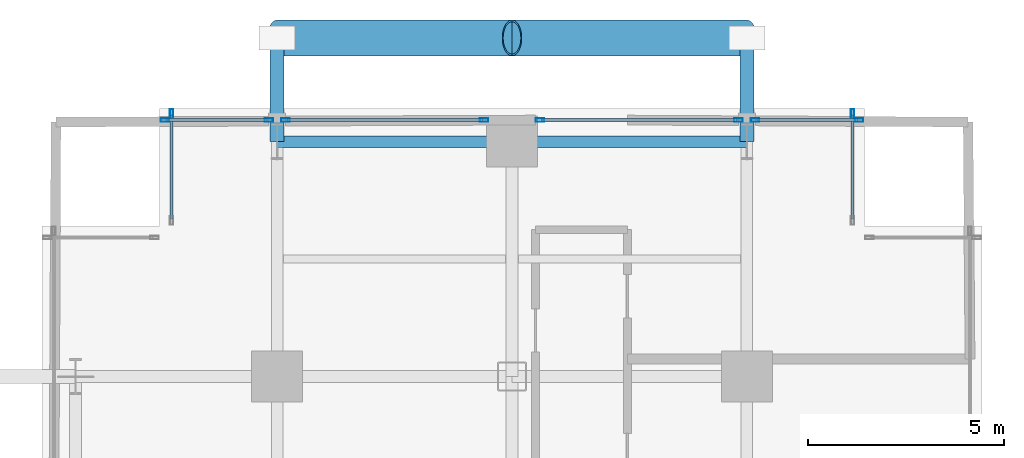
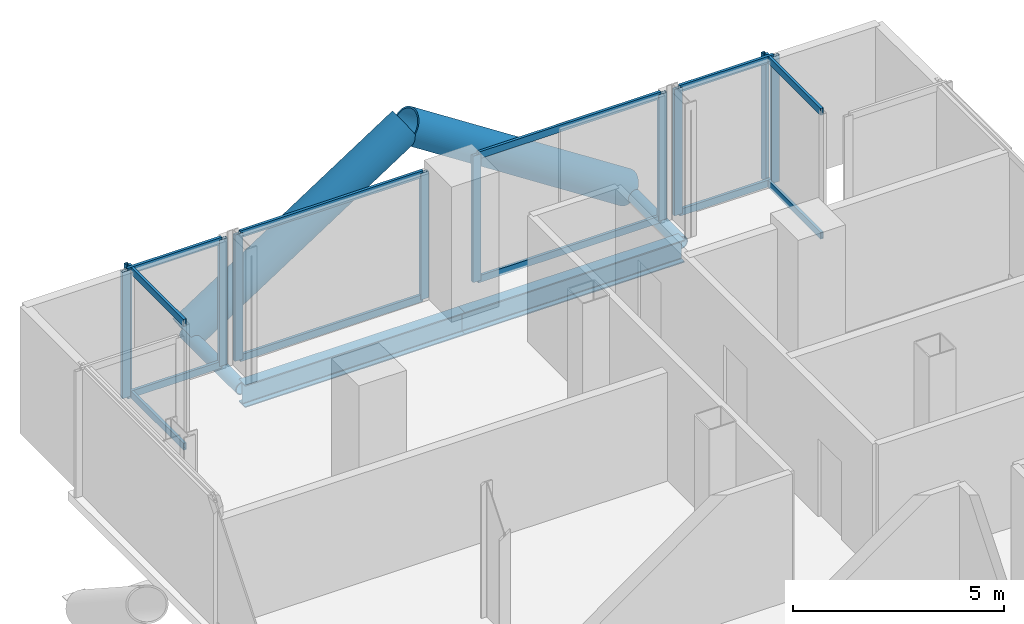
# One storey, part 16 of 25: 26 members, 2 beams, 6 elements without a shape of their own.
"""IFC4 building model written with IfcOpenShell, lengths in metres."""

from ifc_helpers import new_model, si_unit, direction, frame, origin, origin_2d, place, context, subcontext, project, spatial, hollow_rectangle, hollow_circle, i_section, extrude, material, layer, layer_set, material_profile, profile_set, type_object, element, aggregate, save


model = new_model("IFC4")

# Units and contexts
model_context = context("Model", 3, precision=1e-05, world=origin(), true_north=direction((0.0, 1.0)))
body_context = subcontext(model_context, "Body", "Model", "MODEL_VIEW")
ifc_project = project(units=[si_unit("LENGTHUNIT", "METRE"), si_unit("AREAUNIT", "SQUARE_METRE"), si_unit("VOLUMEUNIT", "CUBIC_METRE"), si_unit("PLANEANGLEUNIT", "RADIAN"), si_unit("MASSUNIT", "GRAM", prefix="KILO"), si_unit("THERMODYNAMICTEMPERATUREUNIT", "KELVIN"), si_unit("POWERUNIT", "WATT")], contexts=[model_context])

# Site, building, storey
site_placement = place(None, origin())
site = spatial("IfcSite", under=ifc_project, at=site_placement, CompositionType="ELEMENT")
building_placement = place(site_placement, origin())
building = spatial("IfcBuilding", under=site, at=building_placement, Name="Svarakhadi Broadcast Tower", CompositionType="ELEMENT")
storey_placement = place(building_placement, frame((0.0, 0.0, 79.199951171875)))
storey = spatial("IfcBuildingStorey", under=building, at=storey_placement, Name="L18", CompositionType="ELEMENT", Elevation=79.199951171875)

# Curtain wall, member
ifc_material_1 = material(Name="Anodised Bronze Aluminium AA 6063-T6", Category="aluminium")
ifc_layer = layer(ifc_material_1, 0.219970703125)
ifc_layer_set = layer_set([ifc_layer], Name="Anodised Bronze Aluminium AA 6063-T6")
curtain_wall_type = type_object("IfcCurtainWallType", Name="CW_Sys_02", PredefinedType="NOTDEFINED", material=ifc_layer_set)
curtain_wall_1_placement = place(storey_placement, origin())
curtain_wall_1 = element("IfcCurtainWall", 1, at=curtain_wall_1_placement, inside=storey, type_object=curtain_wall_type, Name="L18 Unitised Facade Curtain Wall 05", PredefinedType="NOTDEFINED")
ifc_material_profile_1 = material_profile(ifc_material_1, hollow_rectangle(XDim=0.0849609375, YDim=0.219970703125, WallThickness=0.006103515625, at=origin_2d()), Name="ALU MULLION 220x85x6")
ifc_profile_set_1 = profile_set([ifc_material_profile_1], Name="Anodised Bronze Aluminium AA 6063-T6")
member_type_1 = type_object("IfcMemberType", Name="CW_Sys_02_Mul", PredefinedType="MULLION", material=ifc_profile_set_1)
member_1_placement = place(storey_placement, frame((3.300048828125, 47.867431640625, 0.0), z_axis=(0.0, 0.0, 1.0), x_axis=(-1.0, 0.0, 0.0)))
member_1 = element("IfcMember", 2, at=member_1_placement, type_object=member_type_1, Name="CW-02 mullion 2", PredefinedType="MULLION", context=body_context, shape_type="SweptSolid", body=[
    extrude(hollow_rectangle(XDim=0.0849609375, YDim=0.219970703125, WallThickness=0.006103515625, at=origin_2d()), origin(), (0.0, 0.0, 1.0), 3.650146484375),
])

# Curtain wall, members
curtain_wall_2_placement = place(storey_placement, origin())
curtain_wall_2 = element("IfcCurtainWall", 3, at=curtain_wall_2_placement, inside=storey, type_object=curtain_wall_type, Name="L18 Unitised Facade Curtain Wall 06 Bay 1", PredefinedType="NOTDEFINED")
member_2_placement = place(storey_placement, frame((3.132568359375, 47.699951171875, 0.0), z_axis=(0.0, 0.0, 1.0), x_axis=(0.0, 1.0, 0.0)))
member_2 = element("IfcMember", 4, at=member_2_placement, type_object=member_type_1, Name="CW-02 mullion 1", PredefinedType="MULLION", context=body_context, shape_type="SweptSolid", body=[
    extrude(hollow_rectangle(XDim=0.0849609375, YDim=0.219970703125, WallThickness=0.006103515625, at=origin_2d()), origin(), (0.0, 0.0, 1.0), 3.650146484375),
])
member_3_placement = place(storey_placement, frame((5.78759765625, 47.699951171875, 0.0), z_axis=(0.0, 0.0, 1.0), x_axis=(0.0, 1.0, 0.0)))
member_3 = element("IfcMember", 5, at=member_3_placement, type_object=member_type_1, Name="CW-02 mullion 2", PredefinedType="MULLION", context=body_context, shape_type="SweptSolid", body=[
    extrude(hollow_rectangle(XDim=0.0849609375, YDim=0.219970703125, WallThickness=0.006103515625, at=origin_2d()), origin(), (0.0, 0.0, 1.0), 3.650146484375),
])

curtain_wall_3_placement = place(storey_placement, origin())
curtain_wall_3 = element("IfcCurtainWall", 6, at=curtain_wall_3_placement, inside=storey, type_object=curtain_wall_type, Name="L18 Unitised Facade Curtain Wall 06 Bay 2", PredefinedType="NOTDEFINED")
member_4_placement = place(storey_placement, frame((6.21240234375, 47.699951171875, 0.0), z_axis=(0.0, 0.0, 1.0), x_axis=(0.0, 1.0, 0.0)))
member_4 = element("IfcMember", 7, at=member_4_placement, type_object=member_type_1, Name="CW-02 mullion 1", PredefinedType="MULLION", context=body_context, shape_type="SweptSolid", body=[
    extrude(hollow_rectangle(XDim=0.0849609375, YDim=0.219970703125, WallThickness=0.006103515625, at=origin_2d()), origin(), (0.0, 0.0, 1.0), 3.650146484375),
])
member_5_placement = place(storey_placement, frame((11.28759765625, 47.699951171875, 0.0), z_axis=(0.0, 0.0, 1.0), x_axis=(0.0, 1.0, 0.0)))
member_5 = element("IfcMember", 8, at=member_5_placement, type_object=member_type_1, Name="CW-02 mullion 2", PredefinedType="MULLION", context=body_context, shape_type="SweptSolid", body=[
    extrude(hollow_rectangle(XDim=0.0849609375, YDim=0.219970703125, WallThickness=0.006103515625, at=origin_2d()), origin(), (0.0, 0.0, 1.0), 3.650146484375),
])

curtain_wall_4_placement = place(storey_placement, origin())
curtain_wall_4 = element("IfcCurtainWall", 9, at=curtain_wall_4_placement, inside=storey, type_object=curtain_wall_type, Name="L18 Unitised Facade Curtain Wall 06 Bay 3", PredefinedType="NOTDEFINED")
member_6_placement = place(storey_placement, frame((12.71240234375, 47.699951171875, 0.0), z_axis=(0.0, 0.0, 1.0), x_axis=(0.0, 1.0, 0.0)))
member_6 = element("IfcMember", 10, at=member_6_placement, type_object=member_type_1, Name="CW-02 mullion 1", PredefinedType="MULLION", context=body_context, shape_type="SweptSolid", body=[
    extrude(hollow_rectangle(XDim=0.0849609375, YDim=0.219970703125, WallThickness=0.006103515625, at=origin_2d()), origin(), (0.0, 0.0, 1.0), 3.650146484375),
])
member_7_placement = place(storey_placement, frame((17.78759765625, 47.699951171875, 0.0), z_axis=(0.0, 0.0, 1.0), x_axis=(0.0, 1.0, 0.0)))
member_7 = element("IfcMember", 11, at=member_7_placement, type_object=member_type_1, Name="CW-02 mullion 2", PredefinedType="MULLION", context=body_context, shape_type="SweptSolid", body=[
    extrude(hollow_rectangle(XDim=0.0849609375, YDim=0.219970703125, WallThickness=0.006103515625, at=origin_2d()), origin(), (0.0, 0.0, 1.0), 3.650146484375),
])

curtain_wall_5_placement = place(storey_placement, origin())
curtain_wall_5 = element("IfcCurtainWall", 12, at=curtain_wall_5_placement, inside=storey, type_object=curtain_wall_type, Name="L18 Unitised Facade Curtain Wall 06 Bay 4", PredefinedType="NOTDEFINED")
member_8_placement = place(storey_placement, frame((18.21240234375, 47.699951171875, 0.0), z_axis=(0.0, 0.0, 1.0), x_axis=(0.0, 1.0, 0.0)))
member_8 = element("IfcMember", 13, at=member_8_placement, type_object=member_type_1, Name="CW-02 mullion 1", PredefinedType="MULLION", context=body_context, shape_type="SweptSolid", body=[
    extrude(hollow_rectangle(XDim=0.0849609375, YDim=0.219970703125, WallThickness=0.006103515625, at=origin_2d()), origin(), (0.0, 0.0, 1.0), 3.650146484375),
])
member_9_placement = place(storey_placement, frame((20.867431640625, 47.699951171875, 0.0), z_axis=(0.0, 0.0, 1.0), x_axis=(0.0, 1.0, 0.0)))
member_9 = element("IfcMember", 14, at=member_9_placement, type_object=member_type_1, Name="CW-02 mullion 2", PredefinedType="MULLION", context=body_context, shape_type="SweptSolid", body=[
    extrude(hollow_rectangle(XDim=0.0849609375, YDim=0.219970703125, WallThickness=0.006103515625, at=origin_2d()), origin(), (0.0, 0.0, 1.0), 3.650146484375),
])

# Curtain wall, member
curtain_wall_6_placement = place(storey_placement, origin())
curtain_wall_6 = element("IfcCurtainWall", 15, at=curtain_wall_6_placement, inside=storey, type_object=curtain_wall_type, Name="L18 Unitised Facade Curtain Wall 07", PredefinedType="NOTDEFINED")
member_10_placement = place(storey_placement, frame((20.699951171875, 47.867431640625, 0.0), z_axis=(0.0, 0.0, 1.0), x_axis=(1.0, 0.0, 0.0)))
member_10 = element("IfcMember", 16, at=member_10_placement, type_object=member_type_1, Name="CW-02 mullion 1", PredefinedType="MULLION", context=body_context, shape_type="SweptSolid", body=[
    extrude(hollow_rectangle(XDim=0.0849609375, YDim=0.219970703125, WallThickness=0.006103515625, at=origin_2d()), origin(), (0.0, 0.0, 1.0), 3.650146484375),
])

# Member
ifc_material_profile_2 = material_profile(ifc_material_1, hollow_rectangle(XDim=0.074951171875, YDim=0.199951171875, WallThickness=0.0048828125, at=origin_2d()), Name="ALU TRANSOM 200x75x5")
ifc_profile_set_2 = profile_set([ifc_material_profile_2], Name="Anodised Bronze Aluminium AA 6063-T6")
member_type_2 = type_object("IfcMemberType", Name="CW_Sys_02_Trn", PredefinedType="USERDEFINED", material=ifc_profile_set_2)
member_11_placement = place(storey_placement, frame((3.300048828125, 45.175048828125, 0.03759765625), z_axis=(0.0, 1.0, 0.0), x_axis=(-1.0, 0.0, 0.0)))
member_11 = element("IfcMember", 17, at=member_11_placement, type_object=member_type_2, Name="CW-02 transom 1.1", ObjectType="TRANSOM", PredefinedType="USERDEFINED", context=body_context, shape_type="SweptSolid", body=[
    extrude(hollow_rectangle(XDim=0.074951171875, YDim=0.199951171875, WallThickness=0.0048828125, at=origin_2d()), origin(), (0.0, 0.0, 1.0), 2.64990234375),
])

member_12_placement = place(storey_placement, frame((3.300048828125, 45.175048828125, 3.612548828125), z_axis=(0.0, 1.0, 0.0), x_axis=(-1.0, 0.0, 0.0)))
member_12 = element("IfcMember", 18, at=member_12_placement, type_object=member_type_2, Name="CW-02 transom 1.2", ObjectType="TRANSOM", PredefinedType="USERDEFINED", context=body_context, shape_type="SweptSolid", body=[
    extrude(hollow_rectangle(XDim=0.074951171875, YDim=0.199951171875, WallThickness=0.0048828125, at=origin_2d()), origin(), (0.0, 0.0, 1.0), 2.64990234375),
])

aggregate(curtain_wall_1, [member_1, member_11, member_12])

member_13_placement = place(storey_placement, frame((3.175048828125, 47.699951171875, 0.03759765625), z_axis=(1.0, 0.0, 0.0), x_axis=(0.0, 1.0, 0.0)))
member_13 = element("IfcMember", 19, at=member_13_placement, type_object=member_type_2, Name="CW-02 transom 1.1", ObjectType="TRANSOM", PredefinedType="USERDEFINED", context=body_context, shape_type="SweptSolid", body=[
    extrude(hollow_rectangle(XDim=0.074951171875, YDim=0.199951171875, WallThickness=0.0048828125, at=origin_2d()), origin(), (0.0, 0.0, 1.0), 2.570068359375),
])

member_14_placement = place(storey_placement, frame((3.175048828125, 47.699951171875, 3.612548828125), z_axis=(1.0, 0.0, 0.0), x_axis=(0.0, 1.0, 0.0)))
member_14 = element("IfcMember", 20, at=member_14_placement, type_object=member_type_2, Name="CW-02 transom 1.2", ObjectType="TRANSOM", PredefinedType="USERDEFINED", context=body_context, shape_type="SweptSolid", body=[
    extrude(hollow_rectangle(XDim=0.074951171875, YDim=0.199951171875, WallThickness=0.0048828125, at=origin_2d()), origin(), (0.0, 0.0, 1.0), 2.570068359375),
])

aggregate(curtain_wall_2, [member_2, member_3, member_13, member_14])

member_15_placement = place(storey_placement, frame((6.2548828125, 47.699951171875, 0.03759765625), z_axis=(1.0, 0.0, 0.0), x_axis=(0.0, 1.0, 0.0)))
member_15 = element("IfcMember", 21, at=member_15_placement, type_object=member_type_2, Name="CW-02 transom 1.1", ObjectType="TRANSOM", PredefinedType="USERDEFINED", context=body_context, shape_type="SweptSolid", body=[
    extrude(hollow_rectangle(XDim=0.074951171875, YDim=0.199951171875, WallThickness=0.0048828125, at=origin_2d()), origin(), (0.0, 0.0, 1.0), 4.990234375),
])

member_16_placement = place(storey_placement, frame((6.2548828125, 47.699951171875, 3.612548828125), z_axis=(1.0, 0.0, 0.0), x_axis=(0.0, 1.0, 0.0)))
member_16 = element("IfcMember", 22, at=member_16_placement, type_object=member_type_2, Name="CW-02 transom 1.2", ObjectType="TRANSOM", PredefinedType="USERDEFINED", context=body_context, shape_type="SweptSolid", body=[
    extrude(hollow_rectangle(XDim=0.074951171875, YDim=0.199951171875, WallThickness=0.0048828125, at=origin_2d()), origin(), (0.0, 0.0, 1.0), 4.990234375),
])

aggregate(curtain_wall_3, [member_4, member_5, member_15, member_16])

member_17_placement = place(storey_placement, frame((12.7548828125, 47.699951171875, 0.03759765625), z_axis=(1.0, 0.0, 0.0), x_axis=(0.0, 1.0, 0.0)))
member_17 = element("IfcMember", 23, at=member_17_placement, type_object=member_type_2, Name="CW-02 transom 1.1", ObjectType="TRANSOM", PredefinedType="USERDEFINED", context=body_context, shape_type="SweptSolid", body=[
    extrude(hollow_rectangle(XDim=0.074951171875, YDim=0.199951171875, WallThickness=0.0048828125, at=origin_2d()), origin(), (0.0, 0.0, 1.0), 4.990234375),
])

member_18_placement = place(storey_placement, frame((12.7548828125, 47.699951171875, 3.612548828125), z_axis=(1.0, 0.0, 0.0), x_axis=(0.0, 1.0, 0.0)))
member_18 = element("IfcMember", 24, at=member_18_placement, type_object=member_type_2, Name="CW-02 transom 1.2", ObjectType="TRANSOM", PredefinedType="USERDEFINED", context=body_context, shape_type="SweptSolid", body=[
    extrude(hollow_rectangle(XDim=0.074951171875, YDim=0.199951171875, WallThickness=0.0048828125, at=origin_2d()), origin(), (0.0, 0.0, 1.0), 4.990234375),
])

aggregate(curtain_wall_4, [member_6, member_7, member_17, member_18])

member_19_placement = place(storey_placement, frame((18.2548828125, 47.699951171875, 0.03759765625), z_axis=(1.0, 0.0, 0.0), x_axis=(0.0, 1.0, 0.0)))
member_19 = element("IfcMember", 25, at=member_19_placement, type_object=member_type_2, Name="CW-02 transom 1.1", ObjectType="TRANSOM", PredefinedType="USERDEFINED", context=body_context, shape_type="SweptSolid", body=[
    extrude(hollow_rectangle(XDim=0.074951171875, YDim=0.199951171875, WallThickness=0.0048828125, at=origin_2d()), origin(), (0.0, 0.0, 1.0), 2.570068359375),
])

member_20_placement = place(storey_placement, frame((18.2548828125, 47.699951171875, 3.612548828125), z_axis=(1.0, 0.0, 0.0), x_axis=(0.0, 1.0, 0.0)))
member_20 = element("IfcMember", 26, at=member_20_placement, type_object=member_type_2, Name="CW-02 transom 1.2", ObjectType="TRANSOM", PredefinedType="USERDEFINED", context=body_context, shape_type="SweptSolid", body=[
    extrude(hollow_rectangle(XDim=0.074951171875, YDim=0.199951171875, WallThickness=0.0048828125, at=origin_2d()), origin(), (0.0, 0.0, 1.0), 2.570068359375),
])

aggregate(curtain_wall_5, [member_8, member_9, member_19, member_20])

member_21_placement = place(storey_placement, frame((20.699951171875, 47.824951171875, 0.03759765625), z_axis=(0.0, -1.0, 0.0), x_axis=(1.0, 0.0, 0.0)))
member_21 = element("IfcMember", 27, at=member_21_placement, type_object=member_type_2, Name="CW-02 transom 1.1", ObjectType="TRANSOM", PredefinedType="USERDEFINED", context=body_context, shape_type="SweptSolid", body=[
    extrude(hollow_rectangle(XDim=0.074951171875, YDim=0.199951171875, WallThickness=0.0048828125, at=origin_2d()), origin(), (0.0, 0.0, 1.0), 2.64990234375),
])

member_22_placement = place(storey_placement, frame((20.699951171875, 47.824951171875, 3.612548828125), z_axis=(0.0, -1.0, 0.0), x_axis=(1.0, 0.0, 0.0)))
member_22 = element("IfcMember", 28, at=member_22_placement, type_object=member_type_2, Name="CW-02 transom 1.2", ObjectType="TRANSOM", PredefinedType="USERDEFINED", context=body_context, shape_type="SweptSolid", body=[
    extrude(hollow_rectangle(XDim=0.074951171875, YDim=0.199951171875, WallThickness=0.0048828125, at=origin_2d()), origin(), (0.0, 0.0, 1.0), 2.64990234375),
])

aggregate(curtain_wall_6, [member_10, member_21, member_22])

# Members
ifc_material_2 = material(Name="Steel S460ML (IS 2062 E450BR)", Category="steel")
ifc_material_profile_3 = material_profile(ifc_material_2, hollow_circle(Radius=0.45703125, WallThickness=0.044921875, at=origin_2d()), Name="CHS 914x45")
ifc_profile_set_3 = profile_set([ifc_material_profile_3], Name="Steel S460ML (IS 2062 E450BR)")
member_type_3 = type_object("IfcMemberType", Name="Exo_Brace_CHS914", PredefinedType="BRACE", material=ifc_profile_set_3)
for number, where, z_axis, x_axis, name in (
    (29, (6.0, 49.800048828125, -0.427734375), (0.838449851971, 0.0, 0.544978757136), (0.0, 1.0, 0.0), "L18 Exposed Bronze Exoskeleton Diagonal N10"),
    (30, (18.0, 49.800048828125, -0.427734375), (-0.838449851971, 0.0, 0.544978757136), (0.0, -1.0, 0.0), "L18 Exposed Bronze Exoskeleton Diagonal N11"),
):
    element("IfcMember", number, at=place(storey_placement, frame(where, z_axis=z_axis, x_axis=x_axis)), inside=storey, type_object=member_type_3, Name=name, PredefinedType="BRACE", context=body_context, shape_type="SweptSolid", body=[
        extrude(hollow_circle(Radius=0.45703125, WallThickness=0.044921875, at=origin_2d()), origin(), (0.0, 0.0, 1.0), 7.156005859375),
    ])
ifc_material_profile_4 = material_profile(ifc_material_2, hollow_circle(Radius=0.177734375, WallThickness=0.02001953125, at=origin_2d()), Name="CHS 355.6x20")
ifc_profile_set_4 = profile_set([ifc_material_profile_4], Name="Steel S460ML (IS 2062 E450BR)")
member_type_4 = type_object("IfcMemberType", Name="Exo_Radial_Strut_Z1", PredefinedType="STRUT", material=ifc_profile_set_4)
for number, where, z_axis, x_axis, name in (
    (31, (6.0, 49.800048828125, -0.427734375), (0.0, -1.0, 0.0), (1.0, 0.0, 0.0), "L18 Exoskeleton Radial Tie Strut N11"),
    (32, (18.0, 49.800048828125, -0.427734375), (0.0, -1.0, 0.0), (1.0, 0.0, 0.0), "L18 Exoskeleton Radial Tie Strut N12"),
):
    element("IfcMember", number, at=place(storey_placement, frame(where, z_axis=z_axis, x_axis=x_axis)), inside=storey, type_object=member_type_4, Name=name, PredefinedType="STRUT", context=body_context, shape_type="SweptSolid", body=[
        extrude(hollow_circle(Radius=0.177734375, WallThickness=0.02001953125, at=origin_2d()), origin(), (0.0, 0.0, 1.0), 2.650146484375),
    ])

# Beams
ifc_material_3 = material(Name="Steel S355J2 (IS 2062 E350C)", Category="steel")
ifc_material_profile_5 = material_profile(ifc_material_3, i_section(OverallWidth=0.300048828125, OverallDepth=0.64990234375, WebThickness=0.01611328125, FlangeThickness=0.031005859375, FilletRadius=0.027099609375, at=origin_2d()), Name="WPB 650x300x225")
ifc_profile_set_5 = profile_set([ifc_material_profile_5], Name="Steel S355J2 (IS 2062 E350C)")
beam_type = type_object("IfcBeamType", Name="Girder_WPB650", PredefinedType="USERDEFINED", material=ifc_profile_set_5)
for number, where, z_axis, x_axis, name in (
    (33, (6.0, 47.14990234375, -0.574951171875), (1.0, 0.0, 0.0), (0.0, 1.0, 0.0), "L18 Primary E-W Girder G043"),
    (34, (12.0, 47.14990234375, -0.574951171875), (1.0, 0.0, 0.0), (0.0, 1.0, 0.0), "L18 Primary E-W Girder G044"),
):
    element("IfcBeam", number, at=place(storey_placement, frame(where, z_axis=z_axis, x_axis=x_axis)), inside=storey, type_object=beam_type, Name=name, ObjectType="GIRDER", PredefinedType="USERDEFINED", context=body_context, shape_type="SweptSolid", body=[
        extrude(i_section(OverallWidth=0.300048828125, OverallDepth=0.64990234375, WebThickness=0.01611328125, FlangeThickness=0.031005859375, FilletRadius=0.027099609375, at=origin_2d()), origin(), (0.0, 0.0, 1.0), 6.0),
    ])

save(model, "model.ifc")
